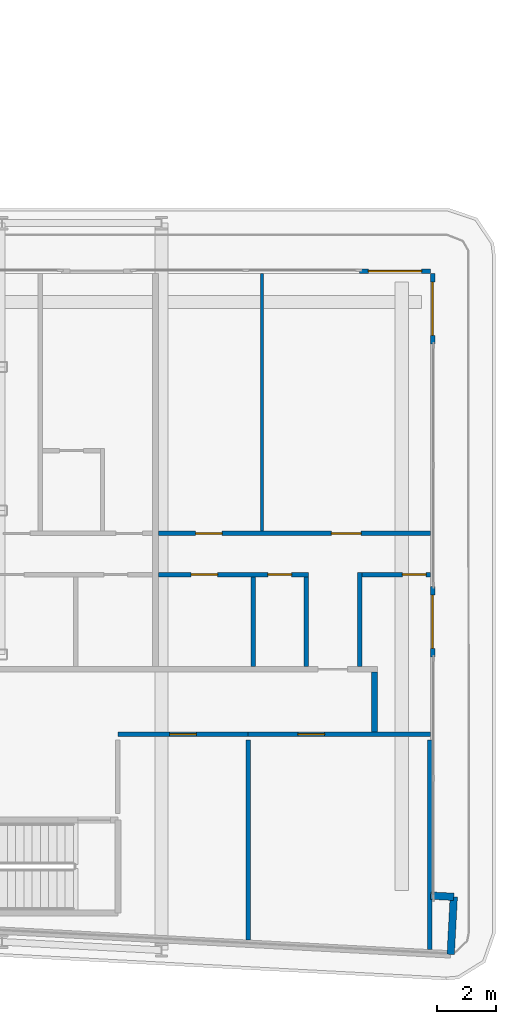
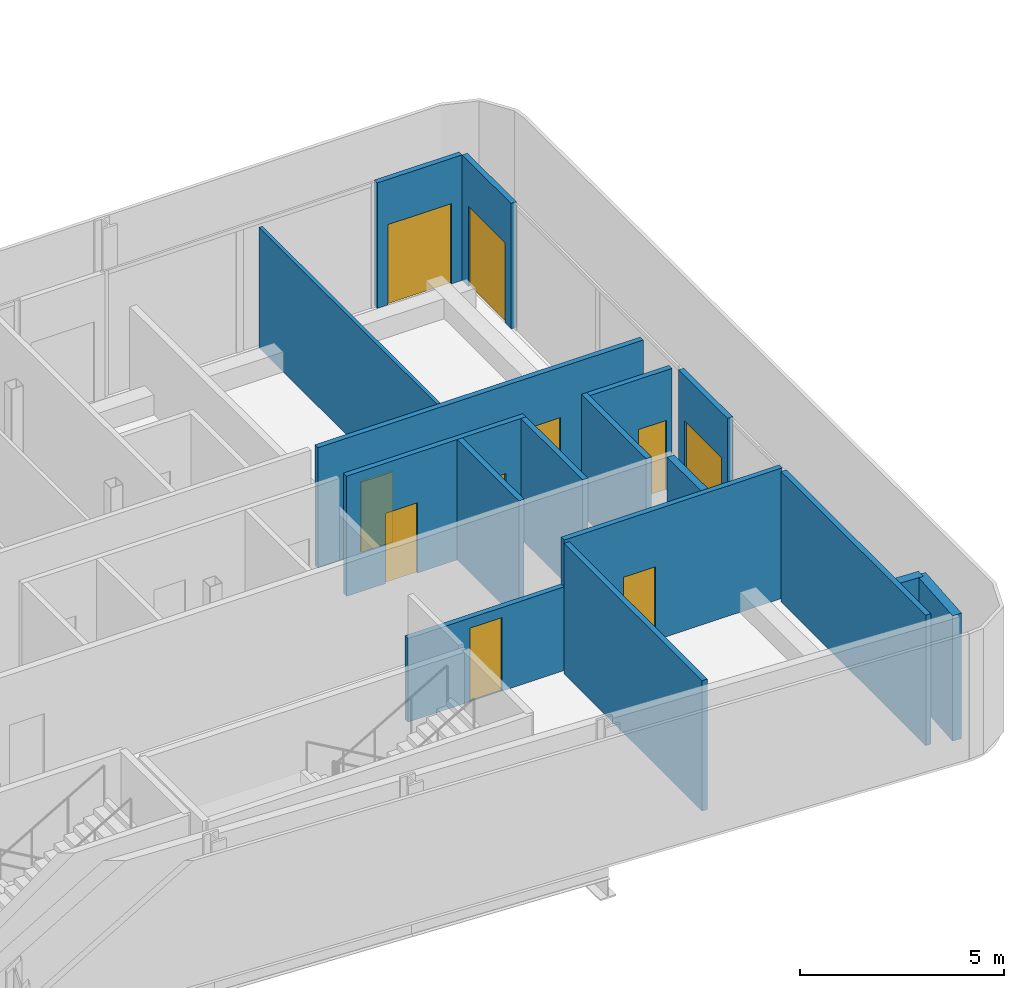
# One storey, part 17 of 25: 17 walls, 10 doors, 10 openings.
"""IFC4 building model written with IfcOpenShell, lengths in metres."""

from ifc_helpers import new_model, si_unit, direction, frame, frame_2d, origin, place, context, subcontext, project, spatial, rectangle, extrude, source, transform, mapped, material, layer, layer_set, type_object, element, fill, save


model = new_model("IFC4")

# Units and contexts
model_context = context("Model", 3, precision=1e-05, world=origin(), true_north=direction((0.0, 1.0)))
body_context = subcontext(model_context, "Body", "Model", "MODEL_VIEW")
ifc_project = project(units=[si_unit("LENGTHUNIT", "METRE"), si_unit("AREAUNIT", "SQUARE_METRE"), si_unit("VOLUMEUNIT", "CUBIC_METRE"), si_unit("PLANEANGLEUNIT", "RADIAN"), si_unit("MASSUNIT", "GRAM", prefix="KILO")], contexts=[model_context])

# Site, building, storey
site_placement = place(None, origin())
site = spatial("IfcSite", under=ifc_project, at=site_placement, CompositionType="ELEMENT")
building_placement = place(site_placement, origin())
building = spatial("IfcBuilding", under=site, at=building_placement, Name="Kheshtan School and Residences Tower", CompositionType="ELEMENT")
storey_placement = place(building_placement, frame((0.0, 0.0, 113.60009765625)))
storey = spatial("IfcBuildingStorey", under=building, at=storey_placement, Name="L26", CompositionType="ELEMENT", Elevation=113.60009765625)

# Walls
ifc_material_1 = material(Name="Gypsum board on steel studs with fire boards", Category="steel")
ifc_layer_1 = layer(ifc_material_1, 0.199951171875)
ifc_layer_set_1 = layer_set([ifc_layer_1], Name="Corridor wall 200")
wall_type_1 = type_object("IfcWallType", Name="Corridor wall 200", PredefinedType="PARTITIONING", material=ifc_layer_set_1)
wall_1_placement = place(storey_placement, frame((98.0, 28.3740234375, 0.0), z_axis=(0.0, 0.0, 1.0), x_axis=(0.0, 1.0, 0.0)))
element("IfcWall", 1, at=wall_1_placement, inside=storey, type_object=wall_type_1, Name="Partition L26-073", PredefinedType="PARTITIONING", context=body_context, shape_type="SweptSolid", body=[
    extrude(rectangle(XDim=2.02587890625, YDim=0.199951171875, at=frame_2d((1.012939453125, 0.0))), origin(), (0.0, 0.0, 1.0), 3.599853515625),
])
ifc_material_2 = material(Name="Concrete C40/50 with ceramic cladding and mineral wool insulation", Category="concrete")
ifc_layer_2 = layer(ifc_material_2, 0.25)
ifc_layer_set_2 = layer_set([ifc_layer_2], Name="External wall 250 ceramic clad")
wall_type_2 = type_object("IfcWallType", Name="External wall 250 ceramic clad", PredefinedType="SOLIDWALL", material=ifc_layer_set_2)
wall_2_placement = place(storey_placement, frame((99.906982421875, 22.839111328125, 0.0), z_axis=(0.0, 0.0, 1.0), x_axis=(0.998561284263, -0.053622398031, 0.0)))
element("IfcWall", 2, at=wall_2_placement, inside=storey, type_object=wall_type_2, Name="External wall L26 10", PredefinedType="SOLIDWALL", context=body_context, shape_type="SweptSolid", body=[
    extrude(rectangle(XDim=0.783203125, YDim=0.25, at=frame_2d((0.3916015625, 0.0))), origin(), (0.0, 0.0, 1.0), 3.75),
])
wall_3_placement = place(storey_placement, frame((100.68896484375, 22.797119140625, 0.0), z_axis=(0.0, 0.0, 1.0), x_axis=(-0.052841433274, -0.998602915542, 0.0)))
element("IfcWall", 3, at=wall_3_placement, inside=storey, type_object=wall_type_2, Name="External wall L26 11", PredefinedType="SOLIDWALL", context=body_context, shape_type="SweptSolid", body=[
    extrude(rectangle(XDim=1.94970703125, YDim=0.25, at=frame_2d((0.974853515625, 0.0))), origin(), (0.0, 0.0, 1.0), 3.75),
])

# Wall, opening, door
ifc_material_3 = material(Name="Aluminium frame wall with insulated infill", Category="aluminium")
ifc_layer_3 = layer(ifc_material_3, 0.14990234375)
ifc_layer_set_3 = layer_set([ifc_layer_3], Name="Glazing frame wall 150")
wall_type_3 = type_object("IfcWallType", Name="Glazing frame wall 150", PredefinedType="SOLIDWALL", material=ifc_layer_set_3)
wall_4_placement = place(storey_placement, frame((97.5, 43.97509765625, 0.0), z_axis=(0.0, 0.0, 1.0), x_axis=(1.0, 0.0, 0.0)))
wall_4 = element("IfcWall", 4, at=wall_4_placement, inside=storey, type_object=wall_type_3, Name="Balcony door wall L26 8.5", PredefinedType="SOLIDWALL", context=body_context, shape_type="SweptSolid", body=[
    extrude(rectangle(XDim=2.39990234375, YDim=0.14990234375, at=frame_2d((1.199951171875, 0.0))), origin(), (0.0, 0.0, 1.0), 3.75),
])
opening_1_placement = place(wall_4_placement, frame((0.300048828125, 0.0, 0.0)))
opening_1 = element("IfcOpeningElement", 5, at=opening_1_placement, cuts=wall_4, Name="Opening BD", PredefinedType="OPENING", context=body_context, shape_type="SweptSolid", body=[
    extrude(rectangle(XDim=1.800048828125, YDim=2.39990234375, at=frame_2d((0.89990234375, 1.199951171875))), frame((0.0, 0.0849609375, 0.0), z_axis=(0.0, -1.0, 0.0), x_axis=(1.0, 0.0, 0.0)), (0.0, 0.0, 1.0), 0.169921875),
])
ifc_material_4 = material(Name="Clear low-e glass in thermally broken aluminium frame", Category="aluminium")
door_type_1 = type_object("IfcDoorType", Name="Balcony sliding door", OperationType="SLIDING_TO_LEFT", PredefinedType="DOOR", material=ifc_material_4)
shared_shape_1 = source(origin(), body_context, "Body", "SweptSolid", [
    extrude(rectangle(XDim=1.800048828125, YDim=2.39990234375, at=frame_2d((0.89990234375, 1.199951171875))), frame((0.0, 0.02490234375, 0.0), z_axis=(0.0, -1.0, 0.0), x_axis=(1.0, 0.0, 0.0)), (0.0, 0.0, 1.0), 0.050048828125),
])
door_1_placement = place(opening_1_placement, origin())
door_1 = element("IfcDoor", 6, at=door_1_placement, inside=storey, type_object=door_type_1, Name="Balcony door L26 8.5", OperationType="SLIDING_TO_LEFT", OverallHeight=2.39990234375, OverallWidth=1.800048828125, PredefinedType="DOOR", context=body_context, shape_type="MappedRepresentation", body=[
    mapped(shared_shape_1, transform((0.0, 0.0, 0.0), x_axis=(1.0, 0.0, 0.0), y_axis=(0.0, 1.0, 0.0), z_axis=(0.0, 0.0, 1.0), scale=1.0)),
])
fill(opening_1, door_1)

wall_5_placement = place(storey_placement, frame((99.97509765625, 43.89990234375, 0.0), z_axis=(0.0, 0.0, 1.0), x_axis=(0.0, -1.0, 0.0)))
wall_5 = element("IfcWall", 7, at=wall_5_placement, inside=storey, type_object=wall_type_3, Name="Balcony door wall L26 9.1", PredefinedType="SOLIDWALL", context=body_context, shape_type="SweptSolid", body=[
    extrude(rectangle(XDim=2.39990234375, YDim=0.14990234375, at=frame_2d((1.199951171875, 0.0))), origin(), (0.0, 0.0, 1.0), 3.75),
])
opening_2_placement = place(wall_5_placement, frame((0.300048828125, 0.0, 0.0)))
opening_2 = element("IfcOpeningElement", 8, at=opening_2_placement, cuts=wall_5, Name="Opening BD", PredefinedType="OPENING", context=body_context, shape_type="SweptSolid", body=[
    extrude(rectangle(XDim=1.800048828125, YDim=2.39990234375, at=frame_2d((0.89990234375, 1.199951171875))), frame((0.0, 0.0849609375, 0.0), z_axis=(0.0, -1.0, 0.0), x_axis=(1.0, 0.0, 0.0)), (0.0, 0.0, 1.0), 0.169921875),
])
door_2_placement = place(opening_2_placement, origin())
door_2 = element("IfcDoor", 9, at=door_2_placement, inside=storey, type_object=door_type_1, Name="Balcony door L26 9.1", OperationType="SLIDING_TO_LEFT", OverallHeight=2.39990234375, OverallWidth=1.800048828125, PredefinedType="DOOR", context=body_context, shape_type="MappedRepresentation", body=[
    mapped(shared_shape_1, transform((0.0, 0.0, 0.0), x_axis=(1.0, 0.0, 0.0), y_axis=(0.0, 1.0, 0.0), z_axis=(0.0, 0.0, 1.0), scale=1.0)),
])
fill(opening_2, door_2)

wall_6_placement = place(storey_placement, frame((99.97509765625, 33.306884765625, 0.0), z_axis=(0.0, 0.0, 1.0), x_axis=(0.0, -1.0, 0.0)))
wall_6 = element("IfcWall", 10, at=wall_6_placement, inside=storey, type_object=wall_type_3, Name="Balcony door wall L26 9.2", PredefinedType="SOLIDWALL", context=body_context, shape_type="SweptSolid", body=[
    extrude(rectangle(XDim=2.39990234375, YDim=0.14990234375, at=frame_2d((1.199951171875, 0.0))), origin(), (0.0, 0.0, 1.0), 3.75),
])
opening_3_placement = place(wall_6_placement, frame((0.300048828125, 0.0, 0.0)))
opening_3 = element("IfcOpeningElement", 11, at=opening_3_placement, cuts=wall_6, Name="Opening BD", PredefinedType="OPENING", context=body_context, shape_type="SweptSolid", body=[
    extrude(rectangle(XDim=1.800048828125, YDim=2.39990234375, at=frame_2d((0.89990234375, 1.199951171875))), frame((0.0, 0.0849609375, 0.0), z_axis=(0.0, -1.0, 0.0), x_axis=(1.0, 0.0, 0.0)), (0.0, 0.0, 1.0), 0.169921875),
])
door_3_placement = place(opening_3_placement, origin())
door_3 = element("IfcDoor", 12, at=door_3_placement, inside=storey, type_object=door_type_1, Name="Balcony door L26 9.2", OperationType="SLIDING_TO_LEFT", OverallHeight=2.39990234375, OverallWidth=1.800048828125, PredefinedType="DOOR", context=body_context, shape_type="MappedRepresentation", body=[
    mapped(shared_shape_1, transform((0.0, 0.0, 0.0), x_axis=(1.0, 0.0, 0.0), y_axis=(0.0, 1.0, 0.0), z_axis=(0.0, 0.0, 1.0), scale=1.0)),
])
fill(opening_3, door_3)

# Wall
ifc_material_5 = material(Name="Gypsum board on steel studs", Category="steel")
ifc_layer_4 = layer(ifc_material_5, 0.10009765625)
ifc_layer_set_4 = layer_set([ifc_layer_4], Name="Gypsum partition 100")
wall_type_4 = type_object("IfcWallType", Name="Gypsum partition 100", PredefinedType="PARTITIONING", material=ifc_layer_set_4)
wall_7_placement = place(storey_placement, frame((94.199951171875, 35.175048828125, 0.0), z_axis=(0.0, 0.0, 1.0), x_axis=(0.0, 1.0, 0.0)))
element("IfcWall", 13, at=wall_7_placement, inside=storey, type_object=wall_type_4, Name="Partition L26-069", PredefinedType="PARTITIONING", context=body_context, shape_type="SweptSolid", body=[
    extrude(rectangle(XDim=8.724853515625, YDim=0.10009765625, at=frame_2d((4.3623046875, 0.0))), origin(), (0.0, 0.0, 1.0), 3.599853515625),
])

# Wall, opening, door
ifc_material_6 = material(Name="Fire-board shaft wall system")
ifc_layer_5 = layer(ifc_material_6, 0.14990234375)
ifc_layer_set_5 = layer_set([ifc_layer_5], Name="Service room wall 150")
wall_type_5 = type_object("IfcWallType", Name="Service room wall 150", PredefinedType="PARTITIONING", material=ifc_layer_set_5)
wall_8_placement = place(storey_placement, frame((89.320068359375, 28.300048828125, 0.0), z_axis=(0.0, 0.0, 1.0), x_axis=(1.0, 0.0, 0.0)))
wall_8 = element("IfcWall", 14, at=wall_8_placement, inside=storey, type_object=wall_type_5, Name="Service room wall", PredefinedType="PARTITIONING", context=body_context, shape_type="SweptSolid", body=[
    extrude(rectangle(XDim=4.412841796875, YDim=0.14990234375, at=frame_2d((2.20654296875, 0.0))), origin(), (0.0, 0.0, 1.0), 2.5),
])
opening_4_placement = place(wall_8_placement, frame((1.756103515625, 0.0, 0.0)))
opening_4 = element("IfcOpeningElement", 15, at=opening_4_placement, cuts=wall_8, Name="Opening SR90", PredefinedType="OPENING", context=body_context, shape_type="SweptSolid", body=[
    extrude(rectangle(XDim=0.89990234375, YDim=2.199951171875, at=frame_2d((0.449951171875, 1.10009765625))), frame((0.0, 0.0849609375, 0.0), z_axis=(0.0, -1.0, 0.0), x_axis=(1.0, 0.0, 0.0)), (0.0, 0.0, 1.0), 0.169921875),
])
ifc_material_7 = material(Name="Steel door leaf, galvanised", Category="steel")
door_type_2 = type_object("IfcDoorType", Name="Service room door 900 steel 90 min", OperationType="SINGLE_SWING_LEFT", PredefinedType="DOOR", material=ifc_material_7)
shared_shape_2 = source(origin(), body_context, "Body", "SweptSolid", [
    extrude(rectangle(XDim=0.89990234375, YDim=2.199951171875, at=frame_2d((0.449951171875, 1.10009765625))), frame((0.0, 0.02490234375, 0.0), z_axis=(0.0, -1.0, 0.0), x_axis=(1.0, 0.0, 0.0)), (0.0, 0.0, 1.0), 0.050048828125),
])
door_4_placement = place(opening_4_placement, origin())
door_4 = element("IfcDoor", 16, at=door_4_placement, inside=storey, type_object=door_type_2, Name="Service room door", OperationType="SINGLE_SWING_LEFT", OverallHeight=2.199951171875, OverallWidth=0.89990234375, PredefinedType="DOOR", context=body_context, shape_type="MappedRepresentation", body=[
    mapped(shared_shape_2, transform((0.0, 0.0, 0.0), x_axis=(1.0, 0.0, 0.0), y_axis=(0.0, 1.0, 0.0), z_axis=(0.0, 0.0, 1.0), scale=1.0)),
])
fill(opening_4, door_4)

# Wall
wall_9_placement = place(storey_placement, frame((93.73291015625, 21.337890625, 0.0), z_axis=(0.0, 0.0, 1.0), x_axis=(0.0, 1.0, 0.0)))
element("IfcWall", 17, at=wall_9_placement, inside=storey, type_object=wall_type_5, Name="Service room wall", PredefinedType="PARTITIONING", context=body_context, shape_type="SweptSolid", body=[
    extrude(rectangle(XDim=6.76708984375, YDim=0.14990234375, at=frame_2d((3.383544921875, 0.0))), origin(), (0.0, 0.0, 1.0), 3.89990234375),
])

# Wall, opening, door
wall_10_placement = place(storey_placement, frame((93.73291015625, 28.300048828125, 0.0), z_axis=(0.0, 0.0, 1.0), x_axis=(1.0, 0.0, 0.0)))
wall_10 = element("IfcWall", 18, at=wall_10_placement, inside=storey, type_object=wall_type_5, Name="Service room wall", PredefinedType="PARTITIONING", context=body_context, shape_type="SweptSolid", body=[
    extrude(rectangle(XDim=6.1650390625, YDim=0.14990234375, at=frame_2d((3.08251953125, 0.0))), origin(), (0.0, 0.0, 1.0), 3.89990234375),
])
opening_5_placement = place(wall_10_placement, frame((1.68310546875, 0.0, 0.0)))
opening_5 = element("IfcOpeningElement", 19, at=opening_5_placement, cuts=wall_10, Name="Opening SR90", PredefinedType="OPENING", context=body_context, shape_type="SweptSolid", body=[
    extrude(rectangle(XDim=0.89990234375, YDim=2.199951171875, at=frame_2d((0.449951171875, 1.10009765625))), frame((0.0, 0.0849609375, 0.0), z_axis=(0.0, -1.0, 0.0), x_axis=(1.0, 0.0, 0.0)), (0.0, 0.0, 1.0), 0.169921875),
])
door_5_placement = place(opening_5_placement, origin())
door_5 = element("IfcDoor", 20, at=door_5_placement, inside=storey, type_object=door_type_2, Name="Service room door", OperationType="SINGLE_SWING_RIGHT", OverallHeight=2.199951171875, OverallWidth=0.89990234375, PredefinedType="DOOR", context=body_context, shape_type="MappedRepresentation", body=[
    mapped(shared_shape_2, transform((0.0, 0.0, 0.0), x_axis=(1.0, 0.0, 0.0), y_axis=(0.0, 1.0, 0.0), z_axis=(0.0, 0.0, 1.0), scale=1.0)),
])
fill(opening_5, door_5)

# Wall
wall_11_placement = place(storey_placement, frame((99.8701171875, 21.014892578125, 0.0), z_axis=(0.0, 0.0, 1.0), x_axis=(0.0, 1.0, 0.0)))
element("IfcWall", 21, at=wall_11_placement, inside=storey, type_object=wall_type_5, Name="Service room wall", PredefinedType="PARTITIONING", context=body_context, shape_type="SweptSolid", body=[
    extrude(rectangle(XDim=7.090087890625, YDim=0.14990234375, at=frame_2d((3.544921875, 0.0))), origin(), (0.0, 0.0, 1.0), 3.89990234375),
])

# Wall, openings, doors
ifc_material_8 = material(Name="Moisture-resistant gypsum board on steel studs", Category="steel")
ifc_layer_6 = layer(ifc_material_8, 0.14990234375)
ifc_layer_set_6 = layer_set([ifc_layer_6], Name="Wet-room partition 150")
wall_type_6 = type_object("IfcWallType", Name="Wet-room partition 150", PredefinedType="PARTITIONING", material=ifc_layer_set_6)
wall_12_placement = place(storey_placement, frame((90.699951171875, 33.699951171875, 0.0), z_axis=(0.0, 0.0, 1.0), x_axis=(1.0, 0.0, 0.0)))
wall_12 = element("IfcWall", 22, at=wall_12_placement, inside=storey, type_object=wall_type_6, Name="Partition L26-066", PredefinedType="PARTITIONING", context=body_context, shape_type="SweptSolid", body=[
    extrude(rectangle(XDim=5.074951171875, YDim=0.14990234375, at=frame_2d((2.53759765625, 0.0))), origin(), (0.0, 0.0, 1.0), 3.599853515625),
])
opening_6_placement = place(wall_12_placement, frame((1.10009765625, 0.0, 0.0)))
opening_6 = element("IfcOpeningElement", 23, at=opening_6_placement, cuts=wall_12, Name="Opening D25-030", PredefinedType="OPENING", context=body_context, shape_type="SweptSolid", body=[
    extrude(rectangle(XDim=0.89990234375, YDim=2.10009765625, at=frame_2d((0.449951171875, 1.050048828125))), frame((0.0, 0.0849609375, 0.0), z_axis=(0.0, -1.0, 0.0), x_axis=(1.0, 0.0, 0.0)), (0.0, 0.0, 1.0), 0.169921875),
])
opening_7_placement = place(wall_12_placement, frame((3.699951171875, 0.0, 0.0)))
opening_7 = element("IfcOpeningElement", 24, at=opening_7_placement, cuts=wall_12, Name="Opening D25-032", PredefinedType="OPENING", context=body_context, shape_type="SweptSolid", body=[
    extrude(rectangle(XDim=0.800048828125, YDim=2.10009765625, at=frame_2d((0.39990234375, 1.050048828125))), frame((0.0, 0.0849609375, 0.0), z_axis=(0.0, -1.0, 0.0), x_axis=(1.0, 0.0, 0.0)), (0.0, 0.0, 1.0), 0.169921875),
])
ifc_material_9 = material(Name="Veneered timber door leaf", Category="wood")
door_type_3 = type_object("IfcDoorType", Name="Door 800 x 2100", OperationType="SINGLE_SWING_LEFT", PredefinedType="DOOR", material=ifc_material_9)
shared_shape_3 = source(origin(), body_context, "Body", "SweptSolid", [
    extrude(rectangle(XDim=0.800048828125, YDim=2.10009765625, at=frame_2d((0.39990234375, 1.050048828125))), frame((0.0, 0.02490234375, 0.0), z_axis=(0.0, -1.0, 0.0), x_axis=(1.0, 0.0, 0.0)), (0.0, 0.0, 1.0), 0.050048828125),
])
door_6_placement = place(opening_7_placement, origin())
door_6 = element("IfcDoor", 25, at=door_6_placement, inside=storey, type_object=door_type_3, Name="Door D25-032", OperationType="SINGLE_SWING_RIGHT", OverallHeight=2.10009765625, OverallWidth=0.800048828125, PredefinedType="DOOR", context=body_context, shape_type="MappedRepresentation", body=[
    mapped(shared_shape_3, transform((0.0, 0.0, 0.0), x_axis=(1.0, 0.0, 0.0), y_axis=(0.0, 1.0, 0.0), z_axis=(0.0, 0.0, 1.0), scale=1.0)),
])
fill(opening_7, door_6)
door_type_4 = type_object("IfcDoorType", Name="Door 900 x 2100", OperationType="SINGLE_SWING_LEFT", PredefinedType="DOOR", material=ifc_material_9)
shared_shape_4 = source(origin(), body_context, "Body", "SweptSolid", [
    extrude(rectangle(XDim=0.89990234375, YDim=2.10009765625, at=frame_2d((0.449951171875, 1.050048828125))), frame((0.0, 0.02490234375, 0.0), z_axis=(0.0, -1.0, 0.0), x_axis=(1.0, 0.0, 0.0)), (0.0, 0.0, 1.0), 0.050048828125),
])
door_7_placement = place(opening_6_placement, origin())
door_7 = element("IfcDoor", 26, at=door_7_placement, inside=storey, type_object=door_type_4, Name="Door D25-030", OperationType="SINGLE_SWING_RIGHT", OverallHeight=2.10009765625, OverallWidth=0.89990234375, PredefinedType="DOOR", context=body_context, shape_type="MappedRepresentation", body=[
    mapped(shared_shape_4, transform((0.0, 0.0, 0.0), x_axis=(1.0, 0.0, 0.0), y_axis=(0.0, 1.0, 0.0), z_axis=(0.0, 0.0, 1.0), scale=1.0)),
])
fill(opening_6, door_7)

wall_13_placement = place(storey_placement, frame((90.699951171875, 35.10009765625, 0.0), z_axis=(0.0, 0.0, 1.0), x_axis=(1.0, 0.0, 0.0)))
wall_13 = element("IfcWall", 27, at=wall_13_placement, inside=storey, type_object=wall_type_6, Name="Partition L26-067", PredefinedType="PARTITIONING", context=body_context, shape_type="SweptSolid", body=[
    extrude(rectangle(XDim=9.199951171875, YDim=0.14990234375, at=frame_2d((4.60009765625, 0.0))), origin(), (0.0, 0.0, 1.0), 3.599853515625),
])
opening_8_placement = place(wall_13_placement, frame((1.25, 0.0, 0.0)))
opening_8 = element("IfcOpeningElement", 28, at=opening_8_placement, cuts=wall_13, Name="Opening D25-028", PredefinedType="OPENING", context=body_context, shape_type="SweptSolid", body=[
    extrude(rectangle(XDim=0.89990234375, YDim=2.10009765625, at=frame_2d((0.449951171875, 1.050048828125))), frame((0.0, 0.0849609375, 0.0), z_axis=(0.0, -1.0, 0.0), x_axis=(1.0, 0.0, 0.0)), (0.0, 0.0, 1.0), 0.169921875),
])
opening_9_placement = place(wall_13_placement, frame((5.85009765625, 0.0, 0.0)))
opening_9 = element("IfcOpeningElement", 29, at=opening_9_placement, cuts=wall_13, Name="Opening D25-031", PredefinedType="OPENING", context=body_context, shape_type="SweptSolid", body=[
    extrude(rectangle(XDim=1.0, YDim=2.10009765625, at=frame_2d((0.5, 1.050048828125))), frame((0.0, 0.0849609375, 0.0), z_axis=(0.0, -1.0, 0.0), x_axis=(1.0, 0.0, 0.0)), (0.0, 0.0, 1.0), 0.169921875),
])
door_type_5 = type_object("IfcDoorType", Name="Door 1000 x 2100", OperationType="SINGLE_SWING_LEFT", PredefinedType="DOOR", material=ifc_material_9)
shared_shape_5 = source(origin(), body_context, "Body", "SweptSolid", [
    extrude(rectangle(XDim=1.0, YDim=2.10009765625, at=frame_2d((0.5, 1.050048828125))), frame((0.0, 0.02490234375, 0.0), z_axis=(0.0, -1.0, 0.0), x_axis=(1.0, 0.0, 0.0)), (0.0, 0.0, 1.0), 0.050048828125),
])
door_8_placement = place(opening_9_placement, origin())
door_8 = element("IfcDoor", 30, at=door_8_placement, inside=storey, type_object=door_type_5, Name="Door D25-031", OperationType="SINGLE_SWING_LEFT", OverallHeight=2.10009765625, OverallWidth=1.0, PredefinedType="DOOR", context=body_context, shape_type="MappedRepresentation", body=[
    mapped(shared_shape_5, transform((0.0, 0.0, 0.0), x_axis=(1.0, 0.0, 0.0), y_axis=(0.0, 1.0, 0.0), z_axis=(0.0, 0.0, 1.0), scale=1.0)),
])
fill(opening_9, door_8)
door_9_placement = place(opening_8_placement, origin())
door_9 = element("IfcDoor", 31, at=door_9_placement, inside=storey, type_object=door_type_4, Name="Door D25-028", OperationType="SINGLE_SWING_RIGHT", OverallHeight=2.10009765625, OverallWidth=0.89990234375, PredefinedType="DOOR", context=body_context, shape_type="MappedRepresentation", body=[
    mapped(shared_shape_4, transform((0.0, 0.0, 0.0), x_axis=(1.0, 0.0, 0.0), y_axis=(0.0, 1.0, 0.0), z_axis=(0.0, 0.0, 1.0), scale=1.0)),
])
fill(opening_8, door_9)

# Walls
for number, where, z_axis, x_axis, name in (
    (32, (93.89990234375, 30.60009765625, 0.0), (0.0, 0.0, 1.0), (0.0, 1.0, 0.0), "Partition L26-068"),
    (33, (95.699951171875, 30.60009765625, 0.0), (0.0, 0.0, 1.0), (0.0, 1.0, 0.0), "Partition L26-070"),
):
    element("IfcWall", number, at=place(storey_placement, frame(where, z_axis=z_axis, x_axis=x_axis)), inside=storey, type_object=wall_type_6, Name=name, PredefinedType="PARTITIONING", context=body_context, shape_type="SweptSolid", body=[
        extrude(rectangle(XDim=3.02490234375, YDim=0.14990234375, at=frame_2d((1.512451171875, 0.0))), origin(), (0.0, 0.0, 1.0), 3.599853515625),
    ])
wall_14_placement = place(storey_placement, frame((97.5, 30.60009765625, 0.0), z_axis=(0.0, 0.0, 1.0), x_axis=(0.0, 1.0, 0.0)))
element("IfcWall", 34, at=wall_14_placement, inside=storey, type_object=wall_type_6, Name="Partition L26-071", PredefinedType="PARTITIONING", context=body_context, shape_type="SweptSolid", body=[
    extrude(rectangle(XDim=3.1748046875, YDim=0.14990234375, at=frame_2d((1.58740234375, 0.0))), origin(), (0.0, 0.0, 1.0), 3.599853515625),
])

# Wall, opening, door
wall_15_placement = place(storey_placement, frame((97.574951171875, 33.699951171875, 0.0), z_axis=(0.0, 0.0, 1.0), x_axis=(1.0, 0.0, 0.0)))
wall_15 = element("IfcWall", 35, at=wall_15_placement, inside=storey, type_object=wall_type_6, Name="Partition L26-072", PredefinedType="PARTITIONING", context=body_context, shape_type="SweptSolid", body=[
    extrude(rectangle(XDim=2.324951171875, YDim=0.14990234375, at=frame_2d((1.16259765625, 0.0))), origin(), (0.0, 0.0, 1.0), 3.599853515625),
])
opening_10_placement = place(wall_15_placement, frame((1.375, 0.0, 0.0)))
opening_10 = element("IfcOpeningElement", 36, at=opening_10_placement, cuts=wall_15, Name="Opening D25-027", PredefinedType="OPENING", context=body_context, shape_type="SweptSolid", body=[
    extrude(rectangle(XDim=0.800048828125, YDim=2.10009765625, at=frame_2d((0.39990234375, 1.050048828125))), frame((0.0, 0.0849609375, 0.0), z_axis=(0.0, -1.0, 0.0), x_axis=(1.0, 0.0, 0.0)), (0.0, 0.0, 1.0), 0.169921875),
])
door_10_placement = place(opening_10_placement, origin())
door_10 = element("IfcDoor", 37, at=door_10_placement, inside=storey, type_object=door_type_3, Name="Door D25-027", OperationType="SINGLE_SWING_RIGHT", OverallHeight=2.10009765625, OverallWidth=0.800048828125, PredefinedType="DOOR", context=body_context, shape_type="MappedRepresentation", body=[
    mapped(shared_shape_3, transform((0.0, 0.0, 0.0), x_axis=(1.0, 0.0, 0.0), y_axis=(0.0, 1.0, 0.0), z_axis=(0.0, 0.0, 1.0), scale=1.0)),
])
fill(opening_10, door_10)

save(model, "model.ifc")
